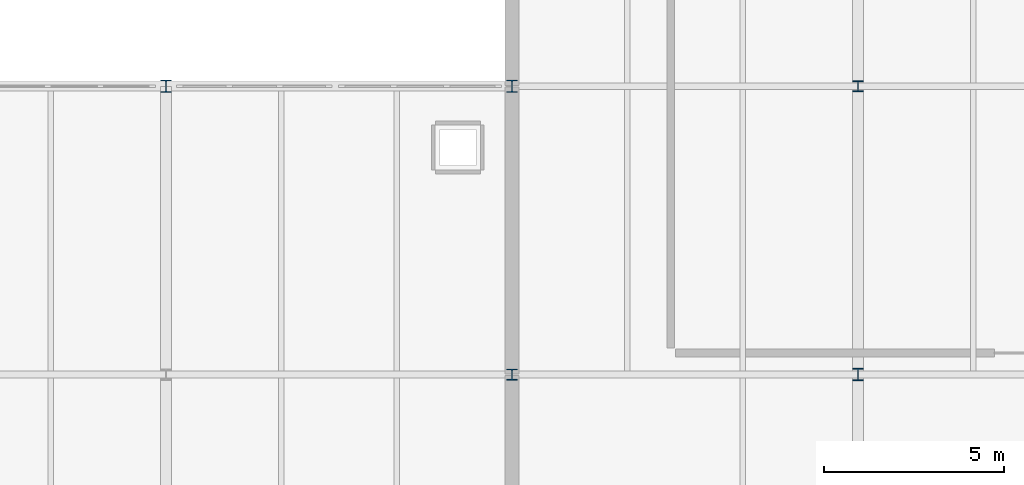
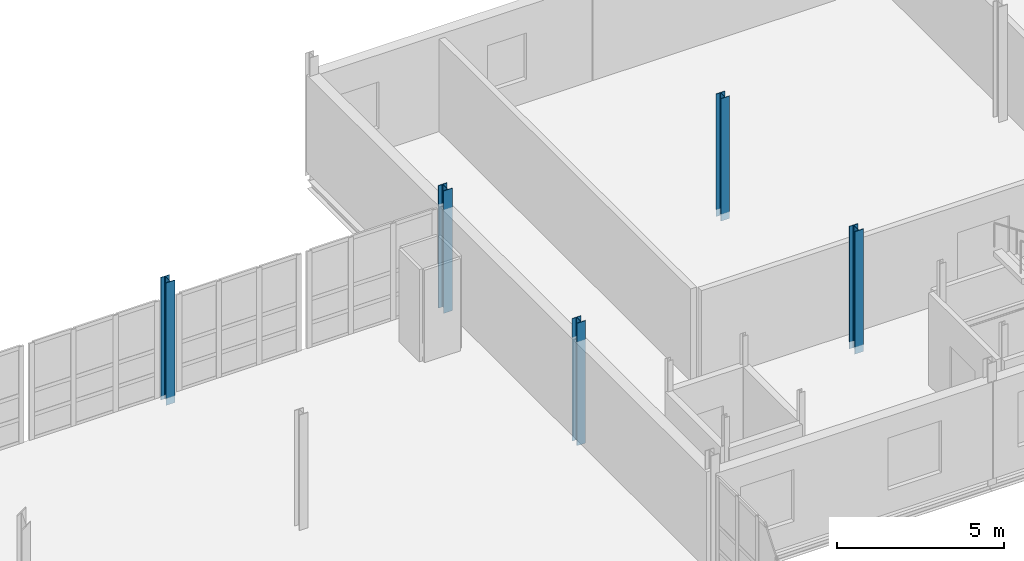
# One storey, part 12 of 73: 5 columns.
"""IFC4 building model written with IfcOpenShell, lengths in metres."""

from ifc_helpers import new_model, si_unit, direction, frame, origin, origin_2d, place, context, subcontext, project, spatial, i_section, extrude, material, material_profile, profile_set, type_object, element, save


model = new_model("IFC4")

# Units and contexts
model_context = context("Model", 3, precision=1e-05, world=origin(), true_north=direction((0.0, 1.0)))
body_context = subcontext(model_context, "Body", "Model", "MODEL_VIEW")
ifc_project = project(units=[si_unit("LENGTHUNIT", "METRE"), si_unit("AREAUNIT", "SQUARE_METRE"), si_unit("VOLUMEUNIT", "CUBIC_METRE"), si_unit("PLANEANGLEUNIT", "RADIAN"), si_unit("MASSUNIT", "GRAM", prefix="KILO")], contexts=[model_context])

# Site, building, storey
site_placement = place(None, origin())
site = spatial("IfcSite", under=ifc_project, at=site_placement, CompositionType="ELEMENT")
building_placement = place(site_placement, origin())
building = spatial("IfcBuilding", under=site, at=building_placement, Name="Alderhovde Museum", CompositionType="ELEMENT")
storey_placement = place(building_placement, frame((0.0, 0.0, 12.89990234375)))
storey = spatial("IfcBuildingStorey", under=building, at=storey_placement, Name="L03", CompositionType="ELEMENT", Elevation=12.89990234375)

# Columns
ifc_material_1 = material(Name="Steel S355J2", Category="steel")
ifc_material_profile_1 = material_profile(ifc_material_1, i_section(OverallWidth=0.300048828125, OverallDepth=0.300048828125, WebThickness=0.010986328125, FlangeThickness=0.01904296875, FilletRadius=0.027099609375, at=origin_2d()), Name="HEB 300")
ifc_profile_set_1 = profile_set([ifc_material_profile_1], Name="Steel S355J2")
column_type_1 = type_object("IfcColumnType", Name="COL-HEB300", PredefinedType="COLUMN", material=ifc_profile_set_1)
for number, where, z_axis, x_axis, name in (
    (1, (115.199951171875, 80.0, -0.260009765625), (0.0, 0.0, 1.0), (1.0, 0.0, 0.0), "L03 Column (115.2, 80.0)"),
    (2, (124.800048828125, 88.0, -0.260009765625), (0.0, 0.0, 1.0), (1.0, 0.0, 0.0), "L03 Column (124.8, 88.0)"),
):
    element("IfcColumn", number, at=place(storey_placement, frame(where, z_axis=z_axis, x_axis=x_axis)), inside=storey, type_object=column_type_1, Name=name, PredefinedType="COLUMN", context=body_context, shape_type="SweptSolid", body=[
        extrude(i_section(OverallWidth=0.300048828125, OverallDepth=0.300048828125, WebThickness=0.010986328125, FlangeThickness=0.01904296875, FilletRadius=0.027099609375, at=origin_2d()), origin(), (0.0, 0.0, 1.0), 4.480224609375),
    ])
ifc_material_2 = material(Name="Steel S355J2", Category="steel")
ifc_material_profile_2 = material_profile(ifc_material_2, i_section(OverallWidth=0.300048828125, OverallDepth=0.340087890625, WebThickness=0.011962890625, FlangeThickness=0.021484375, FilletRadius=0.027099609375, at=origin_2d()), Name="HEB 340")
ifc_profile_set_2 = profile_set([ifc_material_profile_2], Name="Steel S355J2")
column_type_2 = type_object("IfcColumnType", Name="COL-HEB340", PredefinedType="COLUMN", material=ifc_profile_set_2)
for number, where, z_axis, x_axis, name in (
    (3, (105.60009765625, 88.0, -0.260009765625), (0.0, 0.0, 1.0), (1.0, 0.0, 0.0), "L03 Column (105.6, 88.0)"),
    (4, (115.199951171875, 88.0, -0.260009765625), (0.0, 0.0, 1.0), (1.0, 0.0, 0.0), "L03 Column (115.2, 88.0)"),
    (5, (124.800048828125, 80.0, -0.260009765625), (0.0, 0.0, 1.0), (1.0, 0.0, 0.0), "L03 Column (124.8, 80.0)"),
):
    element("IfcColumn", number, at=place(storey_placement, frame(where, z_axis=z_axis, x_axis=x_axis)), inside=storey, type_object=column_type_2, Name=name, PredefinedType="COLUMN", context=body_context, shape_type="SweptSolid", body=[
        extrude(i_section(OverallWidth=0.300048828125, OverallDepth=0.340087890625, WebThickness=0.011962890625, FlangeThickness=0.021484375, FilletRadius=0.027099609375, at=origin_2d()), origin(), (0.0, 0.0, 1.0), 4.480224609375),
    ])

save(model, "model.ifc")
